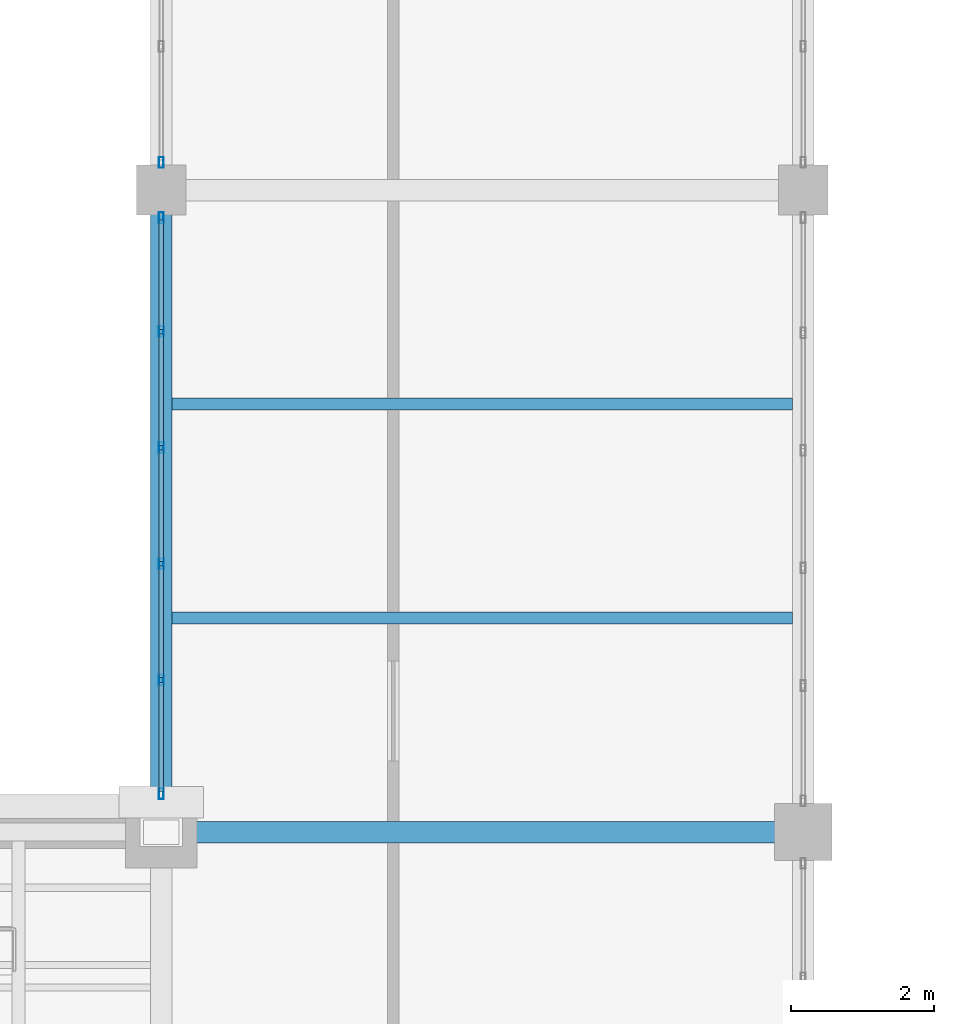
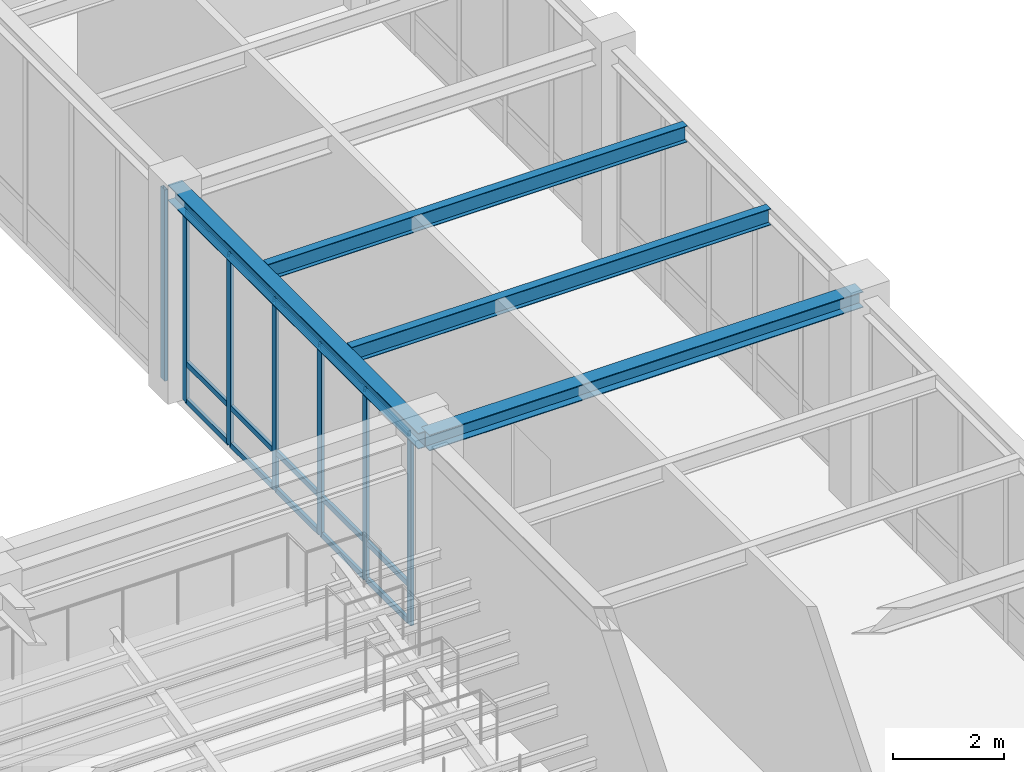
# One storey, part 22 of 92: 22 members, 4 beams, 2 elements without a shape of their own.
"""IFC4 building model written with IfcOpenShell, lengths in metres."""

from ifc_helpers import new_model, si_unit, direction, frame, origin, origin_2d, place, context, subcontext, project, spatial, hollow_rectangle, i_section, extrude, material, material_profile, profile_set, type_object, element, aggregate, save


model = new_model("IFC4")

# Units and contexts
model_context = context("Model", 3, precision=1e-05, world=origin(), true_north=direction((0.0, 1.0)))
body_context = subcontext(model_context, "Body", "Model", "MODEL_VIEW")
ifc_project = project(units=[si_unit("LENGTHUNIT", "METRE"), si_unit("AREAUNIT", "SQUARE_METRE"), si_unit("VOLUMEUNIT", "CUBIC_METRE"), si_unit("PLANEANGLEUNIT", "RADIAN"), si_unit("MASSUNIT", "GRAM", prefix="KILO")], contexts=[model_context])

# Site, building, storey
site_placement = place(None, origin())
site = spatial("IfcSite", under=ifc_project, at=site_placement, CompositionType="ELEMENT")
building_placement = place(site_placement, origin())
building = spatial("IfcBuilding", under=site, at=building_placement, Name="Lykobir Media Centre", CompositionType="ELEMENT")
storey_placement = place(building_placement, frame((0.0, 0.0, 5.39990234375)))
storey = spatial("IfcBuildingStorey", under=building, at=storey_placement, Name="L01", CompositionType="ELEMENT", Elevation=5.39990234375)

# Curtain wall, members
ifc_material_1 = material(Name="Anodized Aluminium AW-6060", Category="aluminium")
curtain_wall_type = type_object("IfcCurtainWallType", Name="CW-COURT-A", PredefinedType="NOTDEFINED", material=ifc_material_1)
curtain_wall_1_placement = place(storey_placement, origin())
curtain_wall_1 = element("IfcCurtainWall", 1, at=curtain_wall_1_placement, inside=storey, type_object=curtain_wall_type, Name="Curtain wall CW2-L01-0068", PredefinedType="NOTDEFINED")
ifc_material_profile_1 = material_profile(ifc_material_1, hollow_rectangle(XDim=0.06494140625, YDim=0.14990234375, WallThickness=0.00341796875, at=origin_2d()), Name="ALU MULLION 65x150")
ifc_profile_set_1 = profile_set([ifc_material_profile_1], Name="Anodized Aluminium AW-6060")
member_type_1 = type_object("IfcMemberType", Name="CWM-150", PredefinedType="MULLION", material=ifc_profile_set_1)
member_1_placement = place(storey_placement, frame((27.0, 45.53759765625, 0.0), z_axis=(0.0, 0.0, 1.0), x_axis=(-1.0, 0.0, 0.0)))
member_1 = element("IfcMember", 2, at=member_1_placement, type_object=member_type_1, Name="CW2-L01-0068 mullion 1", PredefinedType="MULLION", context=body_context, shape_type="SweptSolid", body=[
    extrude(hollow_rectangle(XDim=0.06494140625, YDim=0.14990234375, WallThickness=0.00341796875, at=origin_2d()), origin(), (0.0, 0.0, 1.0), 4.18310546875),
])
member_2_placement = place(storey_placement, frame((27.0, 47.133056640625, 0.0), z_axis=(0.0, 0.0, 1.0), x_axis=(-1.0, 0.0, 0.0)))
member_2 = element("IfcMember", 3, at=member_2_placement, type_object=member_type_1, Name="CW2-L01-0068 mullion 2", PredefinedType="MULLION", context=body_context, shape_type="SweptSolid", body=[
    extrude(hollow_rectangle(XDim=0.06494140625, YDim=0.14990234375, WallThickness=0.00341796875, at=origin_2d()), origin(), (0.0, 0.0, 1.0), 4.18310546875),
])
member_3_placement = place(storey_placement, frame((27.0, 48.760986328125, 0.0), z_axis=(0.0, 0.0, 1.0), x_axis=(-1.0, 0.0, 0.0)))
member_3 = element("IfcMember", 4, at=member_3_placement, type_object=member_type_1, Name="CW2-L01-0068 mullion 3", PredefinedType="MULLION", context=body_context, shape_type="SweptSolid", body=[
    extrude(hollow_rectangle(XDim=0.06494140625, YDim=0.14990234375, WallThickness=0.00341796875, at=origin_2d()), origin(), (0.0, 0.0, 1.0), 4.18310546875),
])
member_4_placement = place(storey_placement, frame((27.0, 50.388916015625, 0.0), z_axis=(0.0, 0.0, 1.0), x_axis=(-1.0, 0.0, 0.0)))
member_4 = element("IfcMember", 5, at=member_4_placement, type_object=member_type_1, Name="CW2-L01-0068 mullion 4", PredefinedType="MULLION", context=body_context, shape_type="SweptSolid", body=[
    extrude(hollow_rectangle(XDim=0.06494140625, YDim=0.14990234375, WallThickness=0.00341796875, at=origin_2d()), origin(), (0.0, 0.0, 1.0), 4.18310546875),
])
member_5_placement = place(storey_placement, frame((27.0, 52.01708984375, 0.0), z_axis=(0.0, 0.0, 1.0), x_axis=(-1.0, 0.0, 0.0)))
member_5 = element("IfcMember", 6, at=member_5_placement, type_object=member_type_1, Name="CW2-L01-0068 mullion 5", PredefinedType="MULLION", context=body_context, shape_type="SweptSolid", body=[
    extrude(hollow_rectangle(XDim=0.06494140625, YDim=0.14990234375, WallThickness=0.00341796875, at=origin_2d()), origin(), (0.0, 0.0, 1.0), 4.18310546875),
])
member_6_placement = place(storey_placement, frame((27.0, 53.612548828125, 0.0), z_axis=(0.0, 0.0, 1.0), x_axis=(-1.0, 0.0, 0.0)))
member_6 = element("IfcMember", 7, at=member_6_placement, type_object=member_type_1, Name="CW2-L01-0068 mullion 6", PredefinedType="MULLION", context=body_context, shape_type="SweptSolid", body=[
    extrude(hollow_rectangle(XDim=0.06494140625, YDim=0.14990234375, WallThickness=0.00341796875, at=origin_2d()), origin(), (0.0, 0.0, 1.0), 4.18310546875),
])

# Curtain wall, member
curtain_wall_2_placement = place(storey_placement, origin())
curtain_wall_2 = element("IfcCurtainWall", 8, at=curtain_wall_2_placement, inside=storey, type_object=curtain_wall_type, Name="Curtain wall CW2-L01-0069", PredefinedType="NOTDEFINED")
member_7_placement = place(storey_placement, frame((27.0, 54.387451171875, 0.0), z_axis=(0.0, 0.0, 1.0), x_axis=(-1.0, 0.0, 0.0)))
member_7 = element("IfcMember", 9, at=member_7_placement, type_object=member_type_1, Name="CW2-L01-0069 mullion 1", PredefinedType="MULLION", context=body_context, shape_type="SweptSolid", body=[
    extrude(hollow_rectangle(XDim=0.06494140625, YDim=0.14990234375, WallThickness=0.00341796875, at=origin_2d()), origin(), (0.0, 0.0, 1.0), 4.195068359375),
])
aggregate(curtain_wall_2, [member_7])

# Member
ifc_material_profile_2 = material_profile(ifc_material_1, hollow_rectangle(XDim=0.06494140625, YDim=0.1201171875, WallThickness=0.0029296875, at=origin_2d()), Name="ALU TRANSOM 65x120")
ifc_profile_set_2 = profile_set([ifc_material_profile_2], Name="Anodized Aluminium AW-6060")
member_type_2 = type_object("IfcMemberType", Name="CWT-120", PredefinedType="USERDEFINED", material=ifc_profile_set_2)
member_8_placement = place(storey_placement, frame((27.0, 45.570068359375, 0.03271484375), z_axis=(0.0, 1.0, 0.0), x_axis=(-1.0, 0.0, 0.0)))
member_8 = element("IfcMember", 10, at=member_8_placement, type_object=member_type_2, Name="CW2-L01-0068 transom 1.1", ObjectType="TRANSOM", PredefinedType="USERDEFINED", context=body_context, shape_type="SweptSolid", body=[
    extrude(hollow_rectangle(XDim=0.06494140625, YDim=0.1201171875, WallThickness=0.0029296875, at=origin_2d()), origin(), (0.0, 0.0, 1.0), 1.530517578125),
])

member_9_placement = place(storey_placement, frame((27.0, 45.570068359375, 0.85009765625), z_axis=(0.0, 1.0, 0.0), x_axis=(-1.0, 0.0, 0.0)))
member_9 = element("IfcMember", 11, at=member_9_placement, type_object=member_type_2, Name="CW2-L01-0068 transom 1.2", ObjectType="TRANSOM", PredefinedType="USERDEFINED", context=body_context, shape_type="SweptSolid", body=[
    extrude(hollow_rectangle(XDim=0.06494140625, YDim=0.1201171875, WallThickness=0.0029296875, at=origin_2d()), origin(), (0.0, 0.0, 1.0), 1.530517578125),
])

member_10_placement = place(storey_placement, frame((27.0, 45.570068359375, 4.150634765625), z_axis=(0.0, 1.0, 0.0), x_axis=(-1.0, 0.0, 0.0)))
member_10 = element("IfcMember", 12, at=member_10_placement, type_object=member_type_2, Name="CW2-L01-0068 transom 1.3", ObjectType="TRANSOM", PredefinedType="USERDEFINED", context=body_context, shape_type="SweptSolid", body=[
    extrude(hollow_rectangle(XDim=0.06494140625, YDim=0.1201171875, WallThickness=0.0029296875, at=origin_2d()), origin(), (0.0, 0.0, 1.0), 1.530517578125),
])

member_11_placement = place(storey_placement, frame((27.0, 47.16552734375, 0.03271484375), z_axis=(0.0, 1.0, 0.0), x_axis=(-1.0, 0.0, 0.0)))
member_11 = element("IfcMember", 13, at=member_11_placement, type_object=member_type_2, Name="CW2-L01-0068 transom 2.1", ObjectType="TRANSOM", PredefinedType="USERDEFINED", context=body_context, shape_type="SweptSolid", body=[
    extrude(hollow_rectangle(XDim=0.06494140625, YDim=0.1201171875, WallThickness=0.0029296875, at=origin_2d()), origin(), (0.0, 0.0, 1.0), 1.56298828125),
])

member_12_placement = place(storey_placement, frame((27.0, 47.16552734375, 0.85009765625), z_axis=(0.0, 1.0, 0.0), x_axis=(-1.0, 0.0, 0.0)))
member_12 = element("IfcMember", 14, at=member_12_placement, type_object=member_type_2, Name="CW2-L01-0068 transom 2.2", ObjectType="TRANSOM", PredefinedType="USERDEFINED", context=body_context, shape_type="SweptSolid", body=[
    extrude(hollow_rectangle(XDim=0.06494140625, YDim=0.1201171875, WallThickness=0.0029296875, at=origin_2d()), origin(), (0.0, 0.0, 1.0), 1.56298828125),
])

member_13_placement = place(storey_placement, frame((27.0, 47.16552734375, 4.150634765625), z_axis=(0.0, 1.0, 0.0), x_axis=(-1.0, 0.0, 0.0)))
member_13 = element("IfcMember", 15, at=member_13_placement, type_object=member_type_2, Name="CW2-L01-0068 transom 2.3", ObjectType="TRANSOM", PredefinedType="USERDEFINED", context=body_context, shape_type="SweptSolid", body=[
    extrude(hollow_rectangle(XDim=0.06494140625, YDim=0.1201171875, WallThickness=0.0029296875, at=origin_2d()), origin(), (0.0, 0.0, 1.0), 1.56298828125),
])

member_14_placement = place(storey_placement, frame((27.0, 48.79345703125, 0.03271484375), z_axis=(0.0, 1.0, 0.0), x_axis=(-1.0, 0.0, 0.0)))
member_14 = element("IfcMember", 16, at=member_14_placement, type_object=member_type_2, Name="CW2-L01-0068 transom 3.1", ObjectType="TRANSOM", PredefinedType="USERDEFINED", context=body_context, shape_type="SweptSolid", body=[
    extrude(hollow_rectangle(XDim=0.06494140625, YDim=0.1201171875, WallThickness=0.0029296875, at=origin_2d()), origin(), (0.0, 0.0, 1.0), 1.56298828125),
])

member_15_placement = place(storey_placement, frame((27.0, 48.79345703125, 0.85009765625), z_axis=(0.0, 1.0, 0.0), x_axis=(-1.0, 0.0, 0.0)))
member_15 = element("IfcMember", 17, at=member_15_placement, type_object=member_type_2, Name="CW2-L01-0068 transom 3.2", ObjectType="TRANSOM", PredefinedType="USERDEFINED", context=body_context, shape_type="SweptSolid", body=[
    extrude(hollow_rectangle(XDim=0.06494140625, YDim=0.1201171875, WallThickness=0.0029296875, at=origin_2d()), origin(), (0.0, 0.0, 1.0), 1.56298828125),
])

member_16_placement = place(storey_placement, frame((27.0, 48.79345703125, 4.150634765625), z_axis=(0.0, 1.0, 0.0), x_axis=(-1.0, 0.0, 0.0)))
member_16 = element("IfcMember", 18, at=member_16_placement, type_object=member_type_2, Name="CW2-L01-0068 transom 3.3", ObjectType="TRANSOM", PredefinedType="USERDEFINED", context=body_context, shape_type="SweptSolid", body=[
    extrude(hollow_rectangle(XDim=0.06494140625, YDim=0.1201171875, WallThickness=0.0029296875, at=origin_2d()), origin(), (0.0, 0.0, 1.0), 1.56298828125),
])

member_17_placement = place(storey_placement, frame((27.0, 50.42138671875, 0.03271484375), z_axis=(0.0, 1.0, 0.0), x_axis=(-1.0, 0.0, 0.0)))
member_17 = element("IfcMember", 19, at=member_17_placement, type_object=member_type_2, Name="CW2-L01-0068 transom 4.1", ObjectType="TRANSOM", PredefinedType="USERDEFINED", context=body_context, shape_type="SweptSolid", body=[
    extrude(hollow_rectangle(XDim=0.06494140625, YDim=0.1201171875, WallThickness=0.0029296875, at=origin_2d()), origin(), (0.0, 0.0, 1.0), 1.563232421875),
])

member_18_placement = place(storey_placement, frame((27.0, 50.42138671875, 0.85009765625), z_axis=(0.0, 1.0, 0.0), x_axis=(-1.0, 0.0, 0.0)))
member_18 = element("IfcMember", 20, at=member_18_placement, type_object=member_type_2, Name="CW2-L01-0068 transom 4.2", ObjectType="TRANSOM", PredefinedType="USERDEFINED", context=body_context, shape_type="SweptSolid", body=[
    extrude(hollow_rectangle(XDim=0.06494140625, YDim=0.1201171875, WallThickness=0.0029296875, at=origin_2d()), origin(), (0.0, 0.0, 1.0), 1.563232421875),
])

member_19_placement = place(storey_placement, frame((27.0, 50.42138671875, 4.150634765625), z_axis=(0.0, 1.0, 0.0), x_axis=(-1.0, 0.0, 0.0)))
member_19 = element("IfcMember", 21, at=member_19_placement, type_object=member_type_2, Name="CW2-L01-0068 transom 4.3", ObjectType="TRANSOM", PredefinedType="USERDEFINED", context=body_context, shape_type="SweptSolid", body=[
    extrude(hollow_rectangle(XDim=0.06494140625, YDim=0.1201171875, WallThickness=0.0029296875, at=origin_2d()), origin(), (0.0, 0.0, 1.0), 1.563232421875),
])

member_20_placement = place(storey_placement, frame((27.0, 52.049560546875, 0.03271484375), z_axis=(0.0, 1.0, 0.0), x_axis=(-1.0, 0.0, 0.0)))
member_20 = element("IfcMember", 22, at=member_20_placement, type_object=member_type_2, Name="CW2-L01-0068 transom 5.1", ObjectType="TRANSOM", PredefinedType="USERDEFINED", context=body_context, shape_type="SweptSolid", body=[
    extrude(hollow_rectangle(XDim=0.06494140625, YDim=0.1201171875, WallThickness=0.0029296875, at=origin_2d()), origin(), (0.0, 0.0, 1.0), 1.530517578125),
])

member_21_placement = place(storey_placement, frame((27.0, 52.049560546875, 0.85009765625), z_axis=(0.0, 1.0, 0.0), x_axis=(-1.0, 0.0, 0.0)))
member_21 = element("IfcMember", 23, at=member_21_placement, type_object=member_type_2, Name="CW2-L01-0068 transom 5.2", ObjectType="TRANSOM", PredefinedType="USERDEFINED", context=body_context, shape_type="SweptSolid", body=[
    extrude(hollow_rectangle(XDim=0.06494140625, YDim=0.1201171875, WallThickness=0.0029296875, at=origin_2d()), origin(), (0.0, 0.0, 1.0), 1.530517578125),
])

member_22_placement = place(storey_placement, frame((27.0, 52.049560546875, 4.150634765625), z_axis=(0.0, 1.0, 0.0), x_axis=(-1.0, 0.0, 0.0)))
member_22 = element("IfcMember", 24, at=member_22_placement, type_object=member_type_2, Name="CW2-L01-0068 transom 5.3", ObjectType="TRANSOM", PredefinedType="USERDEFINED", context=body_context, shape_type="SweptSolid", body=[
    extrude(hollow_rectangle(XDim=0.06494140625, YDim=0.1201171875, WallThickness=0.0029296875, at=origin_2d()), origin(), (0.0, 0.0, 1.0), 1.530517578125),
])

aggregate(curtain_wall_1, [member_1, member_2, member_3, member_4, member_5, member_6, member_8, member_9, member_10, member_11, member_12, member_13, member_14, member_15, member_16, member_17, member_18, member_19, member_20, member_21, member_22])

# Beams
ifc_material_2 = material(Name="Steel S355", Category="steel")
ifc_material_profile_3 = material_profile(ifc_material_2, i_section(OverallWidth=0.169921875, OverallDepth=0.360107421875, WebThickness=0.008056640625, FlangeThickness=0.0126953125, at=origin_2d()), Name="IPE 360")
ifc_profile_set_3 = profile_set([ifc_material_profile_3], Name="Steel S355")
beam_type_1 = type_object("IfcBeamType", Name="JS-IPE360", PredefinedType="JOIST", material=ifc_profile_set_3)
for number, where, z_axis, x_axis, name in (
    (25, (27.14990234375, 48.0, 4.380126953125), (1.0, 0.0, 0.0), (0.0, 1.0, 0.0), "Beam BM-L01-0272-0480-0358-0480-978"),
    (26, (27.14990234375, 51.0, 4.380126953125), (1.0, 0.0, 0.0), (0.0, 1.0, 0.0), "Beam BM-L01-0272-0510-0358-0510-978"),
):
    element("IfcBeam", number, at=place(storey_placement, frame(where, z_axis=z_axis, x_axis=x_axis)), inside=storey, type_object=beam_type_1, Name=name, PredefinedType="JOIST", context=body_context, shape_type="SweptSolid", body=[
        extrude(i_section(OverallWidth=0.169921875, OverallDepth=0.360107421875, WebThickness=0.008056640625, FlangeThickness=0.0126953125, at=origin_2d()), origin(), (0.0, 0.0, 1.0), 8.7001953125),
    ])
ifc_material_profile_4 = material_profile(ifc_material_2, i_section(OverallWidth=0.300048828125, OverallDepth=0.35009765625, WebThickness=0.010009765625, FlangeThickness=0.017578125, at=origin_2d()), Name="HEA 360")
ifc_profile_set_4 = profile_set([ifc_material_profile_4], Name="Steel S355")
beam_type_2 = type_object("IfcBeamType", Name="SP-HEA360", PredefinedType="SPANDREL", material=ifc_profile_set_4)
for number, where, z_axis, x_axis, name in (
    (27, (27.0, 45.0, 4.373046875), (1.0, 0.0, 0.0), (0.0, 1.0, 0.0), "Beam BM-L01-0270-0450-0360-0450-978"),
    (28, (27.0, 45.0, 4.373046875), (0.0, 1.0, 0.0), (-1.0, 0.0, 0.0), "Beam BM-L01-0270-0450-0270-0540-978"),
):
    element("IfcBeam", number, at=place(storey_placement, frame(where, z_axis=z_axis, x_axis=x_axis)), inside=storey, type_object=beam_type_2, Name=name, PredefinedType="SPANDREL", context=body_context, shape_type="SweptSolid", body=[
        extrude(i_section(OverallWidth=0.300048828125, OverallDepth=0.35009765625, WebThickness=0.010009765625, FlangeThickness=0.017578125, at=origin_2d()), origin(), (0.0, 0.0, 1.0), 9.0),
    ])

save(model, "model.ifc")
